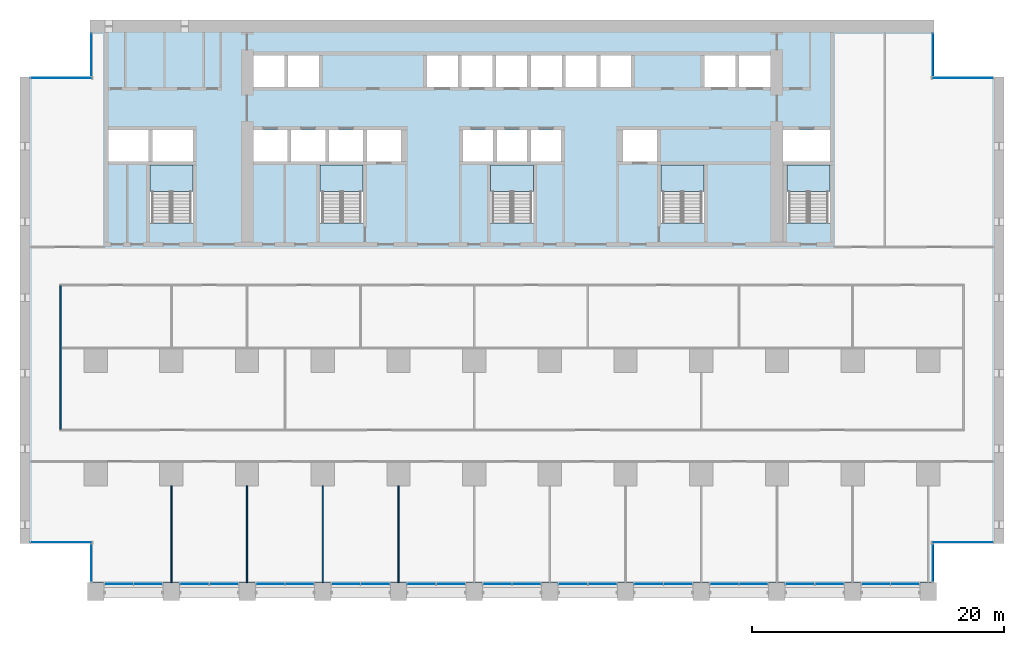
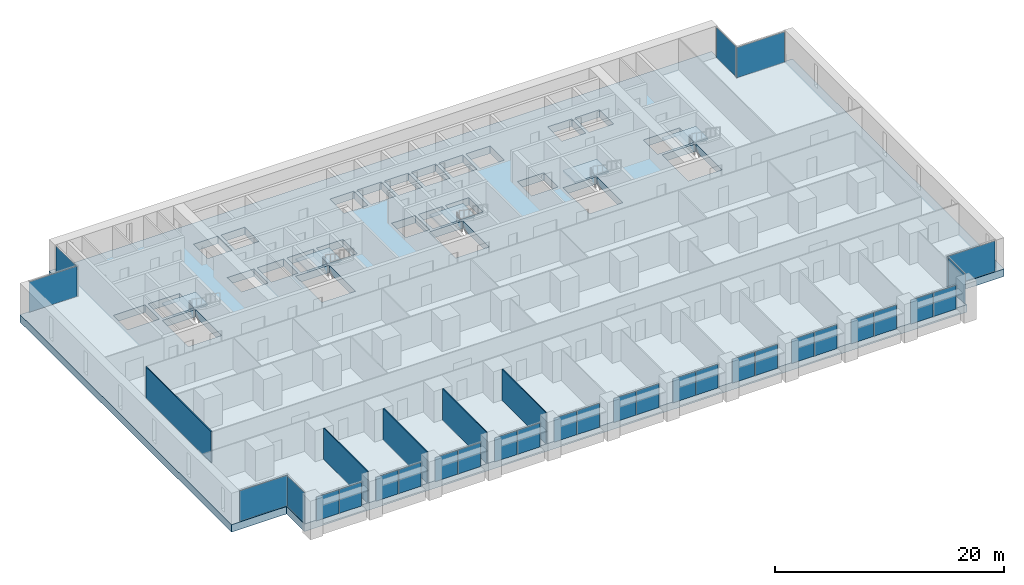
# One storey, part 7 of 18: 30 plates, 6 slabs, 5 walls, 24 elements without a shape of their own.
"""IFC4 building model written with IfcOpenShell, lengths in metres."""

from ifc_helpers import new_model, si_unit, direction, frame, frame_2d, origin, origin_2d, place, context, subcontext, project, spatial, polyline, rectangle, outline, extrude, material, layer, layer_set, type_object, element, aggregate, save


model = new_model("IFC4")

# Units and contexts
model_context = context("Model", 3, precision=1e-05, world=origin(), true_north=direction((0.0, 1.0)))
body_context = subcontext(model_context, "Body", "Model", "MODEL_VIEW")
ifc_project = project(units=[si_unit("LENGTHUNIT", "METRE"), si_unit("AREAUNIT", "SQUARE_METRE"), si_unit("VOLUMEUNIT", "CUBIC_METRE"), si_unit("PLANEANGLEUNIT", "RADIAN"), si_unit("MASSUNIT", "GRAM", prefix="KILO")], contexts=[model_context])

# Site, building, storey
site_placement = place(None, origin())
site = spatial("IfcSite", under=ifc_project, at=site_placement, CompositionType="ELEMENT")
building_placement = place(site_placement, origin())
building = spatial("IfcBuilding", under=site, at=building_placement, Name="Calvaro Tower", CompositionType="ELEMENT")
storey_placement = place(building_placement, frame((0.0, 0.0, 22.5)))
storey = spatial("IfcBuildingStorey", under=building, at=storey_placement, Name="L04", CompositionType="ELEMENT", Elevation=22.5)

# Curtain wall, plates
ifc_material_1 = material(Name="Anodised aluminium", Category="aluminium")
curtain_wall_type = type_object("IfcCurtainWallType", Name="Office curtain wall, lower zone", PredefinedType="NOTDEFINED", material=ifc_material_1)
curtain_wall_1_placement = place(storey_placement, origin())
curtain_wall_1 = element("IfcCurtainWall", 1, at=curtain_wall_1_placement, inside=storey, type_object=curtain_wall_type, Name="CW1 south curtain wall", PredefinedType="NOTDEFINED")
ifc_material_2 = material(Name="Glass", Category="glass")
ifc_layer_1 = layer(ifc_material_2, 0.028076171875)
ifc_layer_set_1 = layer_set([ifc_layer_1], Name="Glass")
plate_type = type_object("IfcPlateType", Name="Glass panel S1 28", PredefinedType="CURTAIN_PANEL", material=ifc_layer_set_1)
plate_1_placement = place(storey_placement, frame((7.840087890625, 1.300048828125, 0.0), z_axis=(0.0, 0.0, 1.0), x_axis=(1.0, 0.0, 0.0)))
plate_1 = element("IfcPlate", 2, at=plate_1_placement, type_object=plate_type, Name="CW1 glass panel 1.1", PredefinedType="CURTAIN_PANEL", context=body_context, shape_type="SweptSolid", body=[
    extrude(rectangle(XDim=2.260009765625, YDim=0.028076171875, at=origin_2d()), origin(), (0.0, 0.0, 1.0), 2.550048828125),
])
plate_2_placement = place(storey_placement, frame((10.159912109375, 1.300048828125, 0.0), z_axis=(0.0, 0.0, 1.0), x_axis=(1.0, 0.0, 0.0)))
plate_2 = element("IfcPlate", 3, at=plate_2_placement, type_object=plate_type, Name="CW1 glass panel 2.1", PredefinedType="CURTAIN_PANEL", context=body_context, shape_type="SweptSolid", body=[
    extrude(rectangle(XDim=2.260009765625, YDim=0.028076171875, at=origin_2d()), origin(), (0.0, 0.0, 1.0), 2.550048828125),
])
aggregate(curtain_wall_1, [plate_1, plate_2])

curtain_wall_2_placement = place(storey_placement, origin())
curtain_wall_2 = element("IfcCurtainWall", 4, at=curtain_wall_2_placement, inside=storey, type_object=curtain_wall_type, Name="CW1 south curtain wall", PredefinedType="NOTDEFINED")
plate_3_placement = place(storey_placement, frame((13.840087890625, 1.300048828125, 0.0), z_axis=(0.0, 0.0, 1.0), x_axis=(1.0, 0.0, 0.0)))
plate_3 = element("IfcPlate", 5, at=plate_3_placement, type_object=plate_type, Name="CW1 glass panel 1.1", PredefinedType="CURTAIN_PANEL", context=body_context, shape_type="SweptSolid", body=[
    extrude(rectangle(XDim=2.260009765625, YDim=0.028076171875, at=origin_2d()), origin(), (0.0, 0.0, 1.0), 2.550048828125),
])
plate_4_placement = place(storey_placement, frame((16.159912109375, 1.300048828125, 0.0), z_axis=(0.0, 0.0, 1.0), x_axis=(1.0, 0.0, 0.0)))
plate_4 = element("IfcPlate", 6, at=plate_4_placement, type_object=plate_type, Name="CW1 glass panel 2.1", PredefinedType="CURTAIN_PANEL", context=body_context, shape_type="SweptSolid", body=[
    extrude(rectangle(XDim=2.260009765625, YDim=0.028076171875, at=origin_2d()), origin(), (0.0, 0.0, 1.0), 2.550048828125),
])
aggregate(curtain_wall_2, [plate_3, plate_4])

curtain_wall_3_placement = place(storey_placement, origin())
curtain_wall_3 = element("IfcCurtainWall", 7, at=curtain_wall_3_placement, inside=storey, type_object=curtain_wall_type, Name="CW1 south curtain wall", PredefinedType="NOTDEFINED")
plate_5_placement = place(storey_placement, frame((19.840087890625, 1.300048828125, 0.0), z_axis=(0.0, 0.0, 1.0), x_axis=(1.0, 0.0, 0.0)))
plate_5 = element("IfcPlate", 8, at=plate_5_placement, type_object=plate_type, Name="CW1 glass panel 1.1", PredefinedType="CURTAIN_PANEL", context=body_context, shape_type="SweptSolid", body=[
    extrude(rectangle(XDim=2.260009765625, YDim=0.028076171875, at=origin_2d()), origin(), (0.0, 0.0, 1.0), 2.550048828125),
])
plate_6_placement = place(storey_placement, frame((22.159912109375, 1.300048828125, 0.0), z_axis=(0.0, 0.0, 1.0), x_axis=(1.0, 0.0, 0.0)))
plate_6 = element("IfcPlate", 9, at=plate_6_placement, type_object=plate_type, Name="CW1 glass panel 2.1", PredefinedType="CURTAIN_PANEL", context=body_context, shape_type="SweptSolid", body=[
    extrude(rectangle(XDim=2.260009765625, YDim=0.028076171875, at=origin_2d()), origin(), (0.0, 0.0, 1.0), 2.550048828125),
])
aggregate(curtain_wall_3, [plate_5, plate_6])

curtain_wall_4_placement = place(storey_placement, origin())
curtain_wall_4 = element("IfcCurtainWall", 10, at=curtain_wall_4_placement, inside=storey, type_object=curtain_wall_type, Name="CW1 south curtain wall", PredefinedType="NOTDEFINED")
plate_7_placement = place(storey_placement, frame((25.840087890625, 1.300048828125, 0.0), z_axis=(0.0, 0.0, 1.0), x_axis=(1.0, 0.0, 0.0)))
plate_7 = element("IfcPlate", 11, at=plate_7_placement, type_object=plate_type, Name="CW1 glass panel 1.1", PredefinedType="CURTAIN_PANEL", context=body_context, shape_type="SweptSolid", body=[
    extrude(rectangle(XDim=2.260009765625, YDim=0.028076171875, at=origin_2d()), origin(), (0.0, 0.0, 1.0), 2.550048828125),
])
plate_8_placement = place(storey_placement, frame((28.159912109375, 1.300048828125, 0.0), z_axis=(0.0, 0.0, 1.0), x_axis=(1.0, 0.0, 0.0)))
plate_8 = element("IfcPlate", 12, at=plate_8_placement, type_object=plate_type, Name="CW1 glass panel 2.1", PredefinedType="CURTAIN_PANEL", context=body_context, shape_type="SweptSolid", body=[
    extrude(rectangle(XDim=2.260009765625, YDim=0.028076171875, at=origin_2d()), origin(), (0.0, 0.0, 1.0), 2.550048828125),
])
aggregate(curtain_wall_4, [plate_7, plate_8])

curtain_wall_5_placement = place(storey_placement, origin())
curtain_wall_5 = element("IfcCurtainWall", 13, at=curtain_wall_5_placement, inside=storey, type_object=curtain_wall_type, Name="CW1 south curtain wall", PredefinedType="NOTDEFINED")
plate_9_placement = place(storey_placement, frame((31.840087890625, 1.300048828125, 0.0), z_axis=(0.0, 0.0, 1.0), x_axis=(1.0, 0.0, 0.0)))
plate_9 = element("IfcPlate", 14, at=plate_9_placement, type_object=plate_type, Name="CW1 glass panel 1.1", PredefinedType="CURTAIN_PANEL", context=body_context, shape_type="SweptSolid", body=[
    extrude(rectangle(XDim=2.260009765625, YDim=0.028076171875, at=origin_2d()), origin(), (0.0, 0.0, 1.0), 2.550048828125),
])
plate_10_placement = place(storey_placement, frame((34.159912109375, 1.300048828125, 0.0), z_axis=(0.0, 0.0, 1.0), x_axis=(1.0, 0.0, 0.0)))
plate_10 = element("IfcPlate", 15, at=plate_10_placement, type_object=plate_type, Name="CW1 glass panel 2.1", PredefinedType="CURTAIN_PANEL", context=body_context, shape_type="SweptSolid", body=[
    extrude(rectangle(XDim=2.260009765625, YDim=0.028076171875, at=origin_2d()), origin(), (0.0, 0.0, 1.0), 2.550048828125),
])
aggregate(curtain_wall_5, [plate_9, plate_10])

curtain_wall_6_placement = place(storey_placement, origin())
curtain_wall_6 = element("IfcCurtainWall", 16, at=curtain_wall_6_placement, inside=storey, type_object=curtain_wall_type, Name="CW1 south curtain wall", PredefinedType="NOTDEFINED")
plate_11_placement = place(storey_placement, frame((37.840087890625, 1.300048828125, 0.0), z_axis=(0.0, 0.0, 1.0), x_axis=(1.0, 0.0, 0.0)))
plate_11 = element("IfcPlate", 17, at=plate_11_placement, type_object=plate_type, Name="CW1 glass panel 1.1", PredefinedType="CURTAIN_PANEL", context=body_context, shape_type="SweptSolid", body=[
    extrude(rectangle(XDim=2.260009765625, YDim=0.028076171875, at=origin_2d()), origin(), (0.0, 0.0, 1.0), 2.550048828125),
])
plate_12_placement = place(storey_placement, frame((40.159912109375, 1.300048828125, 0.0), z_axis=(0.0, 0.0, 1.0), x_axis=(1.0, 0.0, 0.0)))
plate_12 = element("IfcPlate", 18, at=plate_12_placement, type_object=plate_type, Name="CW1 glass panel 2.1", PredefinedType="CURTAIN_PANEL", context=body_context, shape_type="SweptSolid", body=[
    extrude(rectangle(XDim=2.260009765625, YDim=0.028076171875, at=origin_2d()), origin(), (0.0, 0.0, 1.0), 2.550048828125),
])
aggregate(curtain_wall_6, [plate_11, plate_12])

curtain_wall_7_placement = place(storey_placement, origin())
curtain_wall_7 = element("IfcCurtainWall", 19, at=curtain_wall_7_placement, inside=storey, type_object=curtain_wall_type, Name="CW1 south curtain wall", PredefinedType="NOTDEFINED")
plate_13_placement = place(storey_placement, frame((43.840087890625, 1.300048828125, 0.0), z_axis=(0.0, 0.0, 1.0), x_axis=(1.0, 0.0, 0.0)))
plate_13 = element("IfcPlate", 20, at=plate_13_placement, type_object=plate_type, Name="CW1 glass panel 1.1", PredefinedType="CURTAIN_PANEL", context=body_context, shape_type="SweptSolid", body=[
    extrude(rectangle(XDim=2.260009765625, YDim=0.028076171875, at=origin_2d()), origin(), (0.0, 0.0, 1.0), 2.550048828125),
])
plate_14_placement = place(storey_placement, frame((46.159912109375, 1.300048828125, 0.0), z_axis=(0.0, 0.0, 1.0), x_axis=(1.0, 0.0, 0.0)))
plate_14 = element("IfcPlate", 21, at=plate_14_placement, type_object=plate_type, Name="CW1 glass panel 2.1", PredefinedType="CURTAIN_PANEL", context=body_context, shape_type="SweptSolid", body=[
    extrude(rectangle(XDim=2.260009765625, YDim=0.028076171875, at=origin_2d()), origin(), (0.0, 0.0, 1.0), 2.550048828125),
])
aggregate(curtain_wall_7, [plate_13, plate_14])

curtain_wall_8_placement = place(storey_placement, origin())
curtain_wall_8 = element("IfcCurtainWall", 22, at=curtain_wall_8_placement, inside=storey, type_object=curtain_wall_type, Name="CW1 south curtain wall", PredefinedType="NOTDEFINED")
plate_15_placement = place(storey_placement, frame((49.840087890625, 1.300048828125, 0.0), z_axis=(0.0, 0.0, 1.0), x_axis=(1.0, 0.0, 0.0)))
plate_15 = element("IfcPlate", 23, at=plate_15_placement, type_object=plate_type, Name="CW1 glass panel 1.1", PredefinedType="CURTAIN_PANEL", context=body_context, shape_type="SweptSolid", body=[
    extrude(rectangle(XDim=2.260009765625, YDim=0.028076171875, at=origin_2d()), origin(), (0.0, 0.0, 1.0), 2.550048828125),
])
plate_16_placement = place(storey_placement, frame((52.159912109375, 1.300048828125, 0.0), z_axis=(0.0, 0.0, 1.0), x_axis=(1.0, 0.0, 0.0)))
plate_16 = element("IfcPlate", 24, at=plate_16_placement, type_object=plate_type, Name="CW1 glass panel 2.1", PredefinedType="CURTAIN_PANEL", context=body_context, shape_type="SweptSolid", body=[
    extrude(rectangle(XDim=2.260009765625, YDim=0.028076171875, at=origin_2d()), origin(), (0.0, 0.0, 1.0), 2.550048828125),
])
aggregate(curtain_wall_8, [plate_15, plate_16])

curtain_wall_9_placement = place(storey_placement, origin())
curtain_wall_9 = element("IfcCurtainWall", 25, at=curtain_wall_9_placement, inside=storey, type_object=curtain_wall_type, Name="CW1 south curtain wall", PredefinedType="NOTDEFINED")
plate_17_placement = place(storey_placement, frame((55.840087890625, 1.300048828125, 0.0), z_axis=(0.0, 0.0, 1.0), x_axis=(1.0, 0.0, 0.0)))
plate_17 = element("IfcPlate", 26, at=plate_17_placement, type_object=plate_type, Name="CW1 glass panel 1.1", PredefinedType="CURTAIN_PANEL", context=body_context, shape_type="SweptSolid", body=[
    extrude(rectangle(XDim=2.260009765625, YDim=0.028076171875, at=origin_2d()), origin(), (0.0, 0.0, 1.0), 2.550048828125),
])
plate_18_placement = place(storey_placement, frame((58.159912109375, 1.300048828125, 0.0), z_axis=(0.0, 0.0, 1.0), x_axis=(1.0, 0.0, 0.0)))
plate_18 = element("IfcPlate", 27, at=plate_18_placement, type_object=plate_type, Name="CW1 glass panel 2.1", PredefinedType="CURTAIN_PANEL", context=body_context, shape_type="SweptSolid", body=[
    extrude(rectangle(XDim=2.260009765625, YDim=0.028076171875, at=origin_2d()), origin(), (0.0, 0.0, 1.0), 2.550048828125),
])
aggregate(curtain_wall_9, [plate_17, plate_18])

curtain_wall_10_placement = place(storey_placement, origin())
curtain_wall_10 = element("IfcCurtainWall", 28, at=curtain_wall_10_placement, inside=storey, type_object=curtain_wall_type, Name="CW1 south curtain wall", PredefinedType="NOTDEFINED")
plate_19_placement = place(storey_placement, frame((61.840087890625, 1.300048828125, 0.0), z_axis=(0.0, 0.0, 1.0), x_axis=(1.0, 0.0, 0.0)))
plate_19 = element("IfcPlate", 29, at=plate_19_placement, type_object=plate_type, Name="CW1 glass panel 1.1", PredefinedType="CURTAIN_PANEL", context=body_context, shape_type="SweptSolid", body=[
    extrude(rectangle(XDim=2.260009765625, YDim=0.028076171875, at=origin_2d()), origin(), (0.0, 0.0, 1.0), 2.550048828125),
])
plate_20_placement = place(storey_placement, frame((64.159912109375, 1.300048828125, 0.0), z_axis=(0.0, 0.0, 1.0), x_axis=(1.0, 0.0, 0.0)))
plate_20 = element("IfcPlate", 30, at=plate_20_placement, type_object=plate_type, Name="CW1 glass panel 2.1", PredefinedType="CURTAIN_PANEL", context=body_context, shape_type="SweptSolid", body=[
    extrude(rectangle(XDim=2.260009765625, YDim=0.028076171875, at=origin_2d()), origin(), (0.0, 0.0, 1.0), 2.550048828125),
])
aggregate(curtain_wall_10, [plate_19, plate_20])

curtain_wall_11_placement = place(storey_placement, origin())
curtain_wall_11 = element("IfcCurtainWall", 31, at=curtain_wall_11_placement, inside=storey, type_object=curtain_wall_type, Name="CW1 south curtain wall", PredefinedType="NOTDEFINED")
plate_21_placement = place(storey_placement, frame((67.840087890625, 1.300048828125, 0.0), z_axis=(0.0, 0.0, 1.0), x_axis=(1.0, 0.0, 0.0)))
plate_21 = element("IfcPlate", 32, at=plate_21_placement, type_object=plate_type, Name="CW1 glass panel 1.1", PredefinedType="CURTAIN_PANEL", context=body_context, shape_type="SweptSolid", body=[
    extrude(rectangle(XDim=2.260009765625, YDim=0.028076171875, at=origin_2d()), origin(), (0.0, 0.0, 1.0), 2.550048828125),
])
plate_22_placement = place(storey_placement, frame((70.159912109375, 1.300048828125, 0.0), z_axis=(0.0, 0.0, 1.0), x_axis=(1.0, 0.0, 0.0)))
plate_22 = element("IfcPlate", 33, at=plate_22_placement, type_object=plate_type, Name="CW1 glass panel 2.1", PredefinedType="CURTAIN_PANEL", context=body_context, shape_type="SweptSolid", body=[
    extrude(rectangle(XDim=2.260009765625, YDim=0.028076171875, at=origin_2d()), origin(), (0.0, 0.0, 1.0), 2.550048828125),
])
aggregate(curtain_wall_11, [plate_21, plate_22])

# Curtain wall, plate
curtain_wall_12_placement = place(storey_placement, origin())
curtain_wall_12 = element("IfcCurtainWall", 34, at=curtain_wall_12_placement, inside=storey, type_object=curtain_wall_type, Name="CW1 corner curtain wall", PredefinedType="NOTDEFINED")
plate_23_placement = place(storey_placement, frame((5.64990234375, 2.949951171875, 0.0), z_axis=(0.0, 0.0, 1.0), x_axis=(0.0, 1.0, 0.0)))
plate_23 = element("IfcPlate", 35, at=plate_23_placement, type_object=plate_type, Name="CW1 glass panel 1.1", PredefinedType="CURTAIN_PANEL", context=body_context, shape_type="SweptSolid", body=[
    extrude(rectangle(XDim=2.97998046875, YDim=0.028076171875, at=origin_2d()), origin(), (0.0, 0.0, 1.0), 3.25),
])
aggregate(curtain_wall_12, [plate_23])

curtain_wall_13_placement = place(storey_placement, origin())
curtain_wall_13 = element("IfcCurtainWall", 36, at=curtain_wall_13_placement, inside=storey, type_object=curtain_wall_type, Name="CW1 corner curtain wall", PredefinedType="NOTDEFINED")
plate_24_placement = place(storey_placement, frame((3.27490234375, 4.60009765625, 0.0), z_axis=(0.0, 0.0, 1.0), x_axis=(1.0, 0.0, 0.0)))
plate_24 = element("IfcPlate", 37, at=plate_24_placement, type_object=plate_type, Name="CW1 glass panel 1.1", PredefinedType="CURTAIN_PANEL", context=body_context, shape_type="SweptSolid", body=[
    extrude(rectangle(XDim=4.830078125, YDim=0.028076171875, at=origin_2d()), origin(), (0.0, 0.0, 1.0), 3.25),
])
aggregate(curtain_wall_13, [plate_24])

curtain_wall_14_placement = place(storey_placement, origin())
curtain_wall_14 = element("IfcCurtainWall", 38, at=curtain_wall_14_placement, inside=storey, type_object=curtain_wall_type, Name="CW1 corner curtain wall", PredefinedType="NOTDEFINED")
plate_25_placement = place(storey_placement, frame((5.64990234375, 43.25, 0.0), z_axis=(0.0, 0.0, 1.0), x_axis=(0.0, 1.0, 0.0)))
plate_25 = element("IfcPlate", 39, at=plate_25_placement, type_object=plate_type, Name="CW1 glass panel 1.1", PredefinedType="CURTAIN_PANEL", context=body_context, shape_type="SweptSolid", body=[
    extrude(rectangle(XDim=3.3798828125, YDim=0.028076171875, at=origin_2d()), origin(), (0.0, 0.0, 1.0), 3.25),
])
aggregate(curtain_wall_14, [plate_25])

curtain_wall_15_placement = place(storey_placement, origin())
curtain_wall_15 = element("IfcCurtainWall", 40, at=curtain_wall_15_placement, inside=storey, type_object=curtain_wall_type, Name="CW1 corner curtain wall", PredefinedType="NOTDEFINED")
plate_26_placement = place(storey_placement, frame((3.27490234375, 41.39990234375, 0.0), z_axis=(0.0, 0.0, 1.0), x_axis=(1.0, 0.0, 0.0)))
plate_26 = element("IfcPlate", 41, at=plate_26_placement, type_object=plate_type, Name="CW1 glass panel 1.1", PredefinedType="CURTAIN_PANEL", context=body_context, shape_type="SweptSolid", body=[
    extrude(rectangle(XDim=4.830078125, YDim=0.028076171875, at=origin_2d()), origin(), (0.0, 0.0, 1.0), 3.25),
])
aggregate(curtain_wall_15, [plate_26])

curtain_wall_16_placement = place(storey_placement, origin())
curtain_wall_16 = element("IfcCurtainWall", 42, at=curtain_wall_16_placement, inside=storey, type_object=curtain_wall_type, Name="CW1 corner curtain wall", PredefinedType="NOTDEFINED")
plate_27_placement = place(storey_placement, frame((72.35009765625, 2.949951171875, 0.0), z_axis=(0.0, 0.0, 1.0), x_axis=(0.0, 1.0, 0.0)))
plate_27 = element("IfcPlate", 43, at=plate_27_placement, type_object=plate_type, Name="CW1 glass panel 1.1", PredefinedType="CURTAIN_PANEL", context=body_context, shape_type="SweptSolid", body=[
    extrude(rectangle(XDim=2.97998046875, YDim=0.028076171875, at=origin_2d()), origin(), (0.0, 0.0, 1.0), 3.25),
])
aggregate(curtain_wall_16, [plate_27])

curtain_wall_17_placement = place(storey_placement, origin())
curtain_wall_17 = element("IfcCurtainWall", 44, at=curtain_wall_17_placement, inside=storey, type_object=curtain_wall_type, Name="CW1 corner curtain wall", PredefinedType="NOTDEFINED")
plate_28_placement = place(storey_placement, frame((74.72509765625, 4.60009765625, 0.0), z_axis=(0.0, 0.0, 1.0), x_axis=(1.0, 0.0, 0.0)))
plate_28 = element("IfcPlate", 45, at=plate_28_placement, type_object=plate_type, Name="CW1 glass panel 1.1", PredefinedType="CURTAIN_PANEL", context=body_context, shape_type="SweptSolid", body=[
    extrude(rectangle(XDim=4.830078125, YDim=0.028076171875, at=origin_2d()), origin(), (0.0, 0.0, 1.0), 3.25),
])
aggregate(curtain_wall_17, [plate_28])

curtain_wall_18_placement = place(storey_placement, origin())
curtain_wall_18 = element("IfcCurtainWall", 46, at=curtain_wall_18_placement, inside=storey, type_object=curtain_wall_type, Name="CW1 corner curtain wall", PredefinedType="NOTDEFINED")
plate_29_placement = place(storey_placement, frame((72.35009765625, 43.25, 0.0), z_axis=(0.0, 0.0, 1.0), x_axis=(0.0, 1.0, 0.0)))
plate_29 = element("IfcPlate", 47, at=plate_29_placement, type_object=plate_type, Name="CW1 glass panel 1.1", PredefinedType="CURTAIN_PANEL", context=body_context, shape_type="SweptSolid", body=[
    extrude(rectangle(XDim=3.3798828125, YDim=0.028076171875, at=origin_2d()), origin(), (0.0, 0.0, 1.0), 3.25),
])
aggregate(curtain_wall_18, [plate_29])

curtain_wall_19_placement = place(storey_placement, origin())
curtain_wall_19 = element("IfcCurtainWall", 48, at=curtain_wall_19_placement, inside=storey, type_object=curtain_wall_type, Name="CW1 corner curtain wall", PredefinedType="NOTDEFINED")
plate_30_placement = place(storey_placement, frame((74.72509765625, 41.39990234375, 0.0), z_axis=(0.0, 0.0, 1.0), x_axis=(1.0, 0.0, 0.0)))
plate_30 = element("IfcPlate", 49, at=plate_30_placement, type_object=plate_type, Name="CW1 glass panel 1.1", PredefinedType="CURTAIN_PANEL", context=body_context, shape_type="SweptSolid", body=[
    extrude(rectangle(XDim=4.830078125, YDim=0.028076171875, at=origin_2d()), origin(), (0.0, 0.0, 1.0), 3.25),
])
aggregate(curtain_wall_19, [plate_30])

# Stair, slab
ifc_material_3 = material(Name="Concrete C40/50", Category="concrete")
stair_type = type_object("IfcStairType", Name="Exit stair 1400 2 flights", PredefinedType="HALF_TURN_STAIR", material=ifc_material_3)
stair_1_placement = place(storey_placement, origin())
stair_1 = element("IfcStair", 50, at=stair_1_placement, inside=storey, type_object=stair_type, Name="Exit stair S1", PredefinedType="HALF_TURN_STAIR")
ifc_material_4 = material(Name="Concrete C40/50", Category="concrete")
ifc_layer_2 = layer(ifc_material_4, 0.199951171875)
ifc_layer_set_2 = layer_set([ifc_layer_2], Name="Concrete C40/50")
slab_type_1 = type_object("IfcSlabType", Name="Stair landing", PredefinedType="LANDING", material=ifc_layer_set_2)
slab_1_placement = place(storey_placement, frame((0.0, 0.0, 1.675048828125)))
slab_1 = element("IfcSlab", 51, at=slab_1_placement, type_object=slab_type_1, Name="Exit stair 1, landing 1", PredefinedType="LANDING", context=body_context, shape_type="SweptSolid", body=[
    extrude(outline(polyline([(11.89990234375, 32.389892578125), (10.5, 32.389892578125), (10.5, 32.39990234375), (10.300048828125, 32.39990234375), (10.300048828125, 34.5), (10.5, 34.5), (11.89990234375, 34.5), (12.10009765625, 34.5), (13.5, 34.5), (13.699951171875, 34.5), (13.699951171875, 32.39990234375), (13.5, 32.39990234375), (13.5, 32.389892578125), (12.10009765625, 32.389892578125), (12.10009765625, 32.39990234375), (11.89990234375, 32.39990234375), (11.89990234375, 32.389892578125)])), origin(), (0.0, 0.0, 1.0), 0.199951171875),
])
aggregate(stair_1, [slab_1])

stair_2_placement = place(storey_placement, origin())
stair_2 = element("IfcStair", 52, at=stair_2_placement, inside=storey, type_object=stair_type, Name="Exit stair S2", PredefinedType="HALF_TURN_STAIR")
slab_2_placement = place(storey_placement, frame((0.0, 0.0, 1.675048828125)))
slab_2 = element("IfcSlab", 53, at=slab_2_placement, type_object=slab_type_1, Name="Exit stair 2, landing 1", PredefinedType="LANDING", context=body_context, shape_type="SweptSolid", body=[
    extrude(outline(polyline([(25.39990234375, 32.389892578125), (24.0, 32.389892578125), (24.0, 32.39990234375), (23.800048828125, 32.39990234375), (23.800048828125, 34.5), (24.0, 34.5), (25.39990234375, 34.5), (25.60009765625, 34.5), (27.0, 34.5), (27.199951171875, 34.5), (27.199951171875, 32.39990234375), (27.0, 32.39990234375), (27.0, 32.389892578125), (25.60009765625, 32.389892578125), (25.60009765625, 32.39990234375), (25.39990234375, 32.39990234375), (25.39990234375, 32.389892578125)])), origin(), (0.0, 0.0, 1.0), 0.199951171875),
])
aggregate(stair_2, [slab_2])

stair_3_placement = place(storey_placement, origin())
stair_3 = element("IfcStair", 54, at=stair_3_placement, inside=storey, type_object=stair_type, Name="Exit stair S3", PredefinedType="HALF_TURN_STAIR")
slab_3_placement = place(storey_placement, frame((0.0, 0.0, 1.675048828125)))
slab_3 = element("IfcSlab", 55, at=slab_3_placement, type_object=slab_type_1, Name="Exit stair 3, landing 1", PredefinedType="LANDING", context=body_context, shape_type="SweptSolid", body=[
    extrude(outline(polyline([(38.89990234375, 32.389892578125), (37.5, 32.389892578125), (37.5, 32.39990234375), (37.300048828125, 32.39990234375), (37.300048828125, 34.5), (37.5, 34.5), (38.89990234375, 34.5), (39.10009765625, 34.5), (40.5, 34.5), (40.699951171875, 34.5), (40.699951171875, 32.39990234375), (40.5, 32.39990234375), (40.5, 32.389892578125), (39.10009765625, 32.389892578125), (39.10009765625, 32.39990234375), (38.89990234375, 32.39990234375), (38.89990234375, 32.389892578125)])), origin(), (0.0, 0.0, 1.0), 0.199951171875),
])
aggregate(stair_3, [slab_3])

stair_4_placement = place(storey_placement, origin())
stair_4 = element("IfcStair", 56, at=stair_4_placement, inside=storey, type_object=stair_type, Name="Exit stair S4", PredefinedType="HALF_TURN_STAIR")
slab_4_placement = place(storey_placement, frame((0.0, 0.0, 1.675048828125)))
slab_4 = element("IfcSlab", 57, at=slab_4_placement, type_object=slab_type_1, Name="Exit stair 4, landing 1", PredefinedType="LANDING", context=body_context, shape_type="SweptSolid", body=[
    extrude(outline(polyline([(52.39990234375, 32.389892578125), (51.0, 32.389892578125), (51.0, 32.39990234375), (50.800048828125, 32.39990234375), (50.800048828125, 34.5), (51.0, 34.5), (52.39990234375, 34.5), (52.60009765625, 34.5), (54.0, 34.5), (54.199951171875, 34.5), (54.199951171875, 32.39990234375), (54.0, 32.39990234375), (54.0, 32.389892578125), (52.60009765625, 32.389892578125), (52.60009765625, 32.39990234375), (52.39990234375, 32.39990234375), (52.39990234375, 32.389892578125)])), origin(), (0.0, 0.0, 1.0), 0.199951171875),
])
aggregate(stair_4, [slab_4])

stair_5_placement = place(storey_placement, origin())
stair_5 = element("IfcStair", 58, at=stair_5_placement, inside=storey, type_object=stair_type, Name="Exit stair S5", PredefinedType="HALF_TURN_STAIR")
slab_5_placement = place(storey_placement, frame((0.0, 0.0, 1.675048828125)))
slab_5 = element("IfcSlab", 59, at=slab_5_placement, type_object=slab_type_1, Name="Exit stair 5, landing 1", PredefinedType="LANDING", context=body_context, shape_type="SweptSolid", body=[
    extrude(outline(polyline([(62.39990234375, 32.389892578125), (61.0, 32.389892578125), (61.0, 32.39990234375), (60.800048828125, 32.39990234375), (60.800048828125, 34.5), (61.0, 34.5), (62.39990234375, 34.5), (62.60009765625, 34.5), (64.0, 34.5), (64.199951171875, 34.5), (64.199951171875, 32.39990234375), (64.0, 32.39990234375), (64.0, 32.389892578125), (62.60009765625, 32.389892578125), (62.60009765625, 32.39990234375), (62.39990234375, 32.39990234375), (62.39990234375, 32.389892578125)])), origin(), (0.0, 0.0, 1.0), 0.199951171875),
])
aggregate(stair_5, [slab_5])

# Slab
ifc_material_5 = material(Name="Concrete C40/50", Category="concrete")
ifc_layer_3 = layer(ifc_material_5, 0.800048828125)
ifc_layer_set_3 = layer_set([ifc_layer_3], Name="Concrete C40/50")
slab_type_2 = type_object("IfcSlabType", Name="Transfer slab 800 C40/50", PredefinedType="FLOOR", material=ifc_layer_set_3)
slab_6_placement = place(storey_placement, frame((0.0, 0.0, -0.800048828125)))
element("IfcSlab", 60, at=slab_6_placement, inside=storey, type_object=slab_type_2, Name="Transfer slab", PredefinedType="FLOOR", context=body_context, shape_type="SweptSolid", body=[
    extrude(outline(polyline([(72.449951171875, 4.5), (72.449951171875, 1.39990234375), (5.550048828125, 1.39990234375), (5.550048828125, 4.5), (0.0, 4.5), (0.0, 41.5), (5.550048828125, 41.5), (5.550048828125, 46.0), (72.449951171875, 46.0), (72.449951171875, 41.5), (78.0, 41.5), (78.0, 4.5), (72.449951171875, 4.5)]), holes=[polyline([(10.300048828125, 29.909912109375), (10.300048828125, 34.5), (12.0, 34.5), (13.699951171875, 34.5), (13.699951171875, 29.909912109375), (12.0, 29.909912109375), (10.300048828125, 29.909912109375)]), polyline([(23.800048828125, 29.909912109375), (23.800048828125, 34.5), (25.5, 34.5), (27.199951171875, 34.5), (27.199951171875, 29.909912109375), (25.5, 29.909912109375), (23.800048828125, 29.909912109375)]), polyline([(37.300048828125, 29.909912109375), (37.300048828125, 34.5), (39.0, 34.5), (40.699951171875, 34.5), (40.699951171875, 29.909912109375), (39.0, 29.909912109375), (37.300048828125, 29.909912109375)]), polyline([(50.800048828125, 29.909912109375), (50.800048828125, 34.5), (52.5, 34.5), (54.199951171875, 34.5), (54.199951171875, 29.909912109375), (52.5, 29.909912109375), (50.800048828125, 29.909912109375)]), polyline([(60.800048828125, 29.909912109375), (60.800048828125, 34.5), (62.5, 34.5), (64.199951171875, 34.5), (64.199951171875, 29.909912109375), (62.5, 29.909912109375), (60.800048828125, 29.909912109375)]), polyline([(18.5, 34.800048828125), (21.199951171875, 34.800048828125), (21.199951171875, 37.300048828125), (18.5, 37.300048828125), (18.5, 34.800048828125)]), polyline([(21.5, 34.800048828125), (24.199951171875, 34.800048828125), (24.199951171875, 37.300048828125), (21.5, 37.300048828125), (21.5, 34.800048828125)]), polyline([(24.5, 34.800048828125), (27.199951171875, 34.800048828125), (27.199951171875, 37.300048828125), (24.5, 37.300048828125), (24.5, 34.800048828125)]), polyline([(35.10009765625, 34.800048828125), (37.5, 34.800048828125), (37.5, 37.300048828125), (35.10009765625, 37.300048828125), (35.10009765625, 34.800048828125)]), polyline([(37.800048828125, 34.800048828125), (40.199951171875, 34.800048828125), (40.199951171875, 37.300048828125), (37.800048828125, 37.300048828125), (37.800048828125, 34.800048828125)]), polyline([(40.5, 34.800048828125), (42.89990234375, 34.800048828125), (42.89990234375, 37.300048828125), (40.5, 37.300048828125), (40.5, 34.800048828125)]), polyline([(18.5, 40.699951171875), (20.949951171875, 40.699951171875), (20.949951171875, 43.199951171875), (18.5, 43.199951171875), (18.5, 40.699951171875)]), polyline([(21.25, 40.699951171875), (23.699951171875, 40.699951171875), (23.699951171875, 43.199951171875), (21.25, 43.199951171875), (21.25, 40.699951171875)]), polyline([(32.25, 40.699951171875), (34.699951171875, 40.699951171875), (34.699951171875, 43.199951171875), (32.25, 43.199951171875), (32.25, 40.699951171875)]), polyline([(35.0, 40.699951171875), (37.449951171875, 40.699951171875), (37.449951171875, 43.199951171875), (35.0, 43.199951171875), (35.0, 40.699951171875)]), polyline([(37.75, 40.699951171875), (40.199951171875, 40.699951171875), (40.199951171875, 43.199951171875), (37.75, 43.199951171875), (37.75, 40.699951171875)]), polyline([(40.5, 40.699951171875), (42.949951171875, 40.699951171875), (42.949951171875, 43.199951171875), (40.5, 43.199951171875), (40.5, 40.699951171875)]), polyline([(43.25, 40.699951171875), (45.699951171875, 40.699951171875), (45.699951171875, 43.199951171875), (43.25, 43.199951171875), (43.25, 40.699951171875)]), polyline([(46.0, 40.699951171875), (48.449951171875, 40.699951171875), (48.449951171875, 43.199951171875), (46.0, 43.199951171875), (46.0, 40.699951171875)]), polyline([(54.25, 40.699951171875), (56.699951171875, 40.699951171875), (56.699951171875, 43.199951171875), (54.25, 43.199951171875), (54.25, 40.699951171875)]), polyline([(57.0, 40.699951171875), (59.5, 40.699951171875), (59.5, 43.199951171875), (57.0, 43.199951171875), (57.0, 40.699951171875)]), polyline([(7.0, 34.800048828125), (10.199951171875, 34.800048828125), (10.199951171875, 37.300048828125), (7.0, 37.300048828125), (7.0, 34.800048828125)]), polyline([(10.5, 34.800048828125), (13.699951171875, 34.800048828125), (13.699951171875, 37.300048828125), (10.5, 37.300048828125), (10.5, 34.800048828125)]), polyline([(60.5, 34.800048828125), (64.199951171875, 34.800048828125), (64.199951171875, 37.300048828125), (60.5, 37.300048828125), (60.5, 34.800048828125)]), polyline([(27.5, 34.800048828125), (30.199951171875, 34.800048828125), (30.199951171875, 37.300048828125), (27.5, 37.300048828125), (27.5, 34.800048828125)]), polyline([(47.800048828125, 34.800048828125), (50.5, 34.800048828125), (50.5, 37.300048828125), (47.800048828125, 37.300048828125), (47.800048828125, 34.800048828125)])]), origin(), (0.0, 0.0, 1.0), 0.800048828125),
])

# Walls
ifc_material_6 = material(Name="Plasterboard on steel studs", Category="steel")
ifc_layer_4 = layer(ifc_material_6, 0.10009765625)
ifc_layer_set_4 = layer_set([ifc_layer_4], Name="Plasterboard on steel studs")
wall_type = type_object("IfcWallType", Name="Partition 100", PredefinedType="PARTITIONING", material=ifc_layer_set_4)
wall_placement = place(storey_placement, frame((3.199951171875, 13.550048828125, 0.0), z_axis=(0.0, 0.0, 1.0), x_axis=(0.0, 1.0, 0.0)))
element("IfcWall", 61, at=wall_placement, inside=storey, type_object=wall_type, Name="Partition T07.W007", PredefinedType="PARTITIONING", context=body_context, shape_type="SweptSolid", body=[
    extrude(rectangle(XDim=11.39990234375, YDim=0.10009765625, at=frame_2d((5.699951171875, 0.0))), origin(), (0.0, 0.0, 1.0), 3.35009765625),
])
for number, where, z_axis, x_axis, name in (
    (62, (12.0, 1.39990234375, 0.0), (0.0, 0.0, 1.0), (0.0, 1.0, 0.0), "Partition T07.W008"),
    (63, (18.0, 1.39990234375, 0.0), (0.0, 0.0, 1.0), (0.0, 1.0, 0.0), "Partition T07.W010"),
    (64, (24.0, 1.39990234375, 0.0), (0.0, 0.0, 1.0), (0.0, 1.0, 0.0), "Partition T07.W013"),
    (65, (30.0, 1.39990234375, 0.0), (0.0, 0.0, 1.0), (0.0, 1.0, 0.0), "Partition T07.W015"),
):
    element("IfcWall", number, at=place(storey_placement, frame(where, z_axis=z_axis, x_axis=x_axis)), inside=storey, type_object=wall_type, Name=name, PredefinedType="PARTITIONING", context=body_context, shape_type="SweptSolid", body=[
        extrude(rectangle(XDim=7.675048828125, YDim=0.10009765625, at=frame_2d((3.83740234375, 0.0))), origin(), (0.0, 0.0, 1.0), 3.35009765625),
    ])

save(model, "model.ifc")
